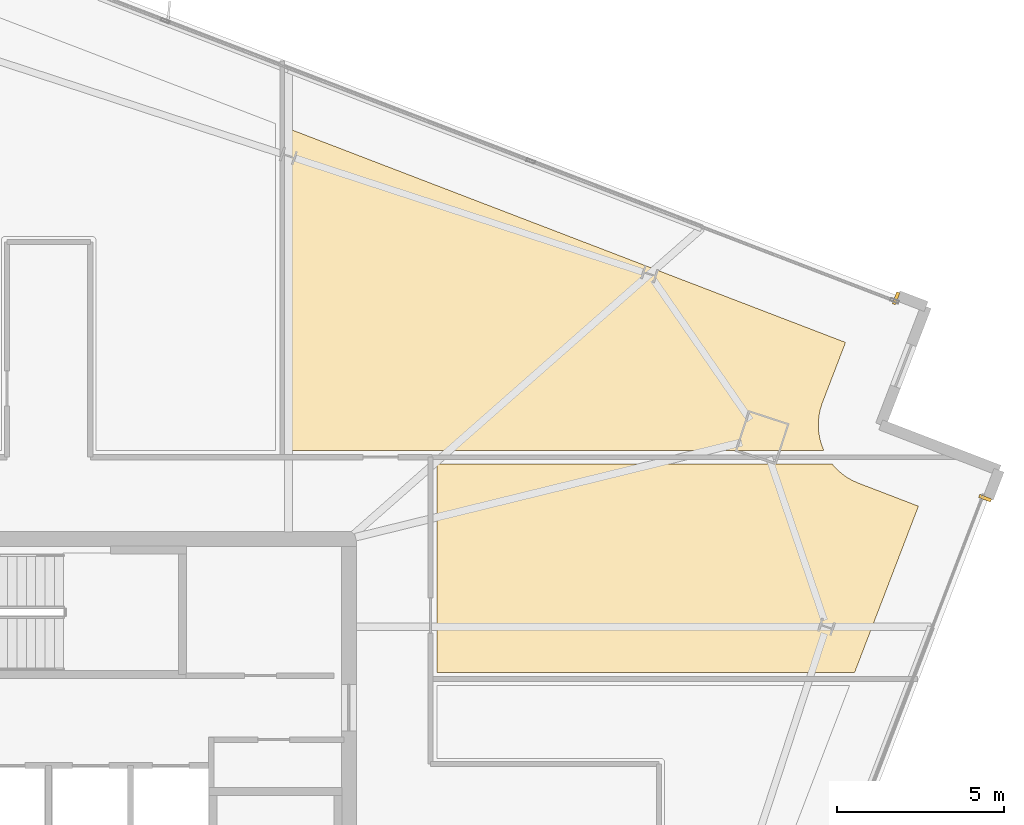
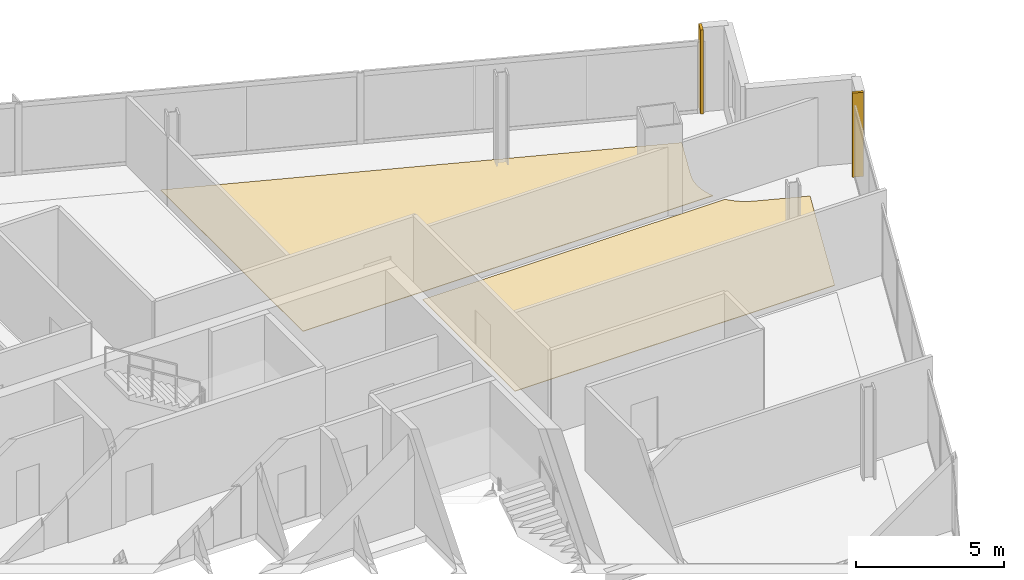
# One storey, part 27 of 27: 4 coverings.
"""IFC4 building model written with IfcOpenShell, lengths in metres."""

from ifc_helpers import new_model, si_unit, direction, frame, origin, origin_2d, place, context, subcontext, project, spatial, polyline, rectangle, outline, extrude, source, transform, mapped, material, layer, layer_set, type_object, element, save


model = new_model("IFC4")

# Units and contexts
model_context = context("Model", 3, precision=1e-05, world=origin(), true_north=direction((0.0, 1.0)))
body_context = subcontext(model_context, "Body", "Model", "MODEL_VIEW")
ifc_project = project(units=[si_unit("LENGTHUNIT", "METRE"), si_unit("AREAUNIT", "SQUARE_METRE"), si_unit("VOLUMEUNIT", "CUBIC_METRE"), si_unit("PLANEANGLEUNIT", "RADIAN"), si_unit("MASSUNIT", "GRAM", prefix="KILO")], contexts=[model_context])

# Site, building, storey
site_placement = place(None, origin())
site = spatial("IfcSite", under=ifc_project, at=site_placement, CompositionType="ELEMENT")
building_placement = place(site_placement, origin())
building = spatial("IfcBuilding", under=site, at=building_placement, Name="Haldenkirk Collegiate Tower", CompositionType="ELEMENT")
storey_placement = place(building_placement, frame((0.0, 0.0, 259.949951171875)))
storey = spatial("IfcBuildingStorey", under=building, at=storey_placement, Name="L65", CompositionType="ELEMENT", Elevation=259.949951171875)

# Coverings
ifc_material_1 = material(Name="Engineered collegiate oak acoustic flooring", Category="wood")
ifc_layer_1 = layer(ifc_material_1, 0.02197265625)
ifc_layer_set_1 = layer_set([ifc_layer_1], Name="Engineered collegiate oak acoustic flooring")
covering_type_1 = type_object("IfcCoveringType", Name="COV-FLOOR-TIMBER", PredefinedType="FLOORING", material=ifc_layer_set_1)
covering_1_placement = place(storey_placement, origin())
element("IfcCovering", 1, at=covering_1_placement, inside=storey, type_object=covering_type_1, Name="L65 academic room finish 07", PredefinedType="FLOORING", context=body_context, shape_type="SweptSolid", body=[
    extrude(outline(polyline([(59.243896484375, 36.64990234375), (43.199951171875, 36.64990234375), (43.199951171875, 46.2978515625), (59.894775390625, 39.889404296875), (59.202880859375, 38.087646484375), (59.200927734375, 38.08203125), (59.1474609375, 37.9189453125), (59.144287109375, 37.90771484375), (59.10693359375, 37.739990234375), (59.10498046875, 37.728515625), (59.084228515625, 37.557861328125), (59.083251953125, 37.546142578125), (59.079345703125, 37.37451171875), (59.07958984375, 37.36279296875), (59.092529296875, 37.19140625), (59.093994140625, 37.1796875), (59.123779296875, 37.010498046875), (59.12646484375, 36.999267578125), (59.17236328125, 36.833740234375), (59.176025390625, 36.822509765625), (59.23828125, 36.662353515625), (59.242919921875, 36.651611328125), (59.243896484375, 36.64990234375)])), origin(), (0.0, 0.0, 1.0), 0.02197265625),
])
covering_2_placement = place(storey_placement, origin())
element("IfcCovering", 2, at=covering_2_placement, inside=storey, type_object=covering_type_1, Name="L65 academic room finish 11", PredefinedType="FLOORING", context=body_context, shape_type="SweptSolid", body=[
    extrude(outline(polyline([(59.53125, 36.1982421875), (59.538818359375, 36.189453125), (59.657470703125, 36.065185546875), (59.666015625, 36.05712890625), (59.796142578125, 35.945068359375), (59.805419921875, 35.93798828125), (59.946044921875, 35.83935546875), (59.9560546875, 35.8330078125), (60.10546875, 35.74853515625), (60.115966796875, 35.743408203125), (60.273193359375, 35.673828125), (60.27880859375, 35.671630859375), (62.08056640625, 34.97998046875), (60.168701171875, 30.0), (47.64990234375, 30.0), (47.64990234375, 36.25), (59.490478515625, 36.25), (59.53125, 36.1982421875)])), origin(), (0.0, 0.0, 1.0), 0.02197265625),
])
ifc_material_2 = material(Name="Anodised architectural bronze aluminium", Category="aluminium")
ifc_layer_2 = layer(ifc_material_2, 0.06005859375)
ifc_layer_set_2 = layer_set([ifc_layer_2], Name="Anodised architectural bronze aluminium")
covering_type_2 = type_object("IfcCoveringType", Name="COV-CLAD-BRONZE-60", PredefinedType="CLADDING", material=ifc_layer_set_2)
shared_shape = source(origin(), body_context, "Body", "SweptSolid", [
    extrude(rectangle(XDim=0.10009765625, YDim=0.3798828125, at=origin_2d()), origin(), (0.0, 0.0, 1.0), 3.47998046875),
])
for number, where, z_axis, x_axis, name in (
    (3, (64.0791015625, 35.2197265625, 0.0), (0.0, 0.0, 1.0), (-0.358367949545, -0.933580426497, 0.0), "L65 recessed curtain-wall bronze jamb closure SJL"),
    (4, (61.41015625, 41.21435546875, 0.0), (0.0, 0.0, 1.0), (0.933580426497, -0.358367949545, 0.0), "L65 recessed curtain-wall bronze jamb closure EJR"),
):
    element("IfcCovering", number, at=place(storey_placement, frame(where, z_axis=z_axis, x_axis=x_axis)), inside=storey, type_object=covering_type_2, Name=name, PredefinedType="CLADDING", context=body_context, shape_type="MappedRepresentation", body=[
        mapped(shared_shape, transform((0.0, 0.0, 0.0), x_axis=(1.0, 0.0, 0.0), y_axis=(0.0, 1.0, 0.0), z_axis=(0.0, 0.0, 1.0), scale=1.0)),
    ])

save(model, "model.ifc")
